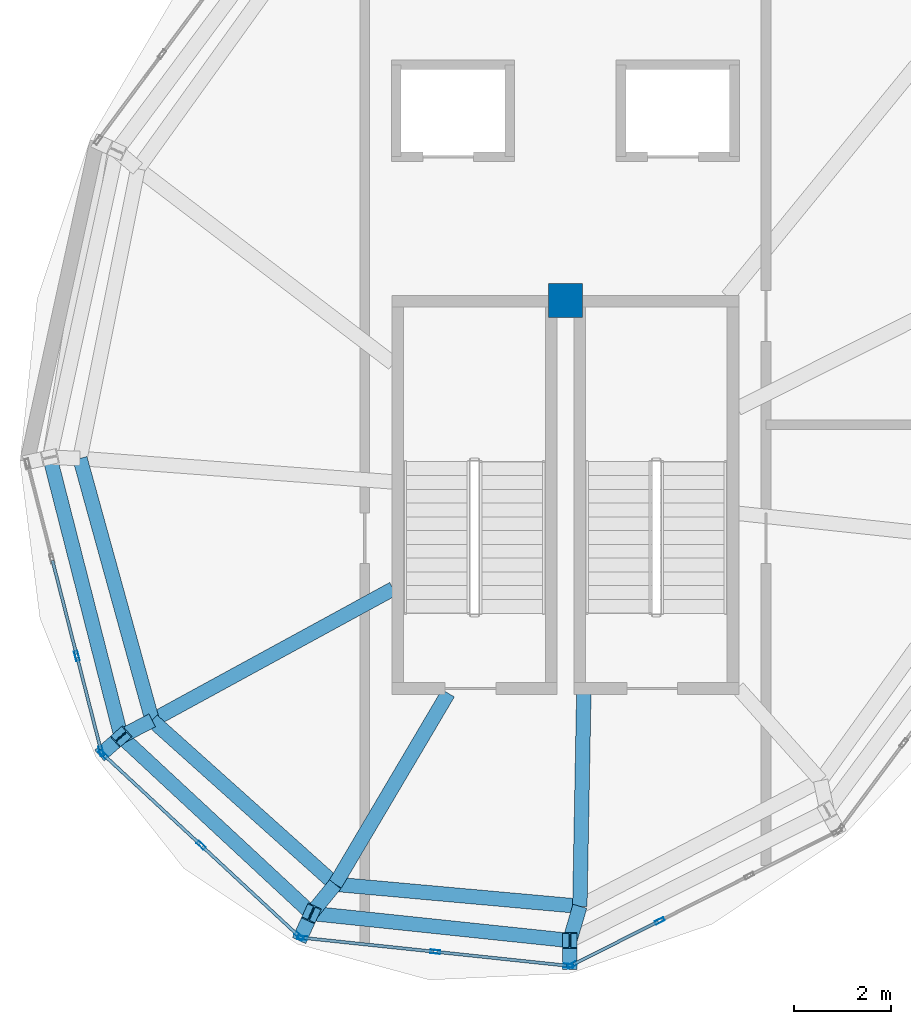
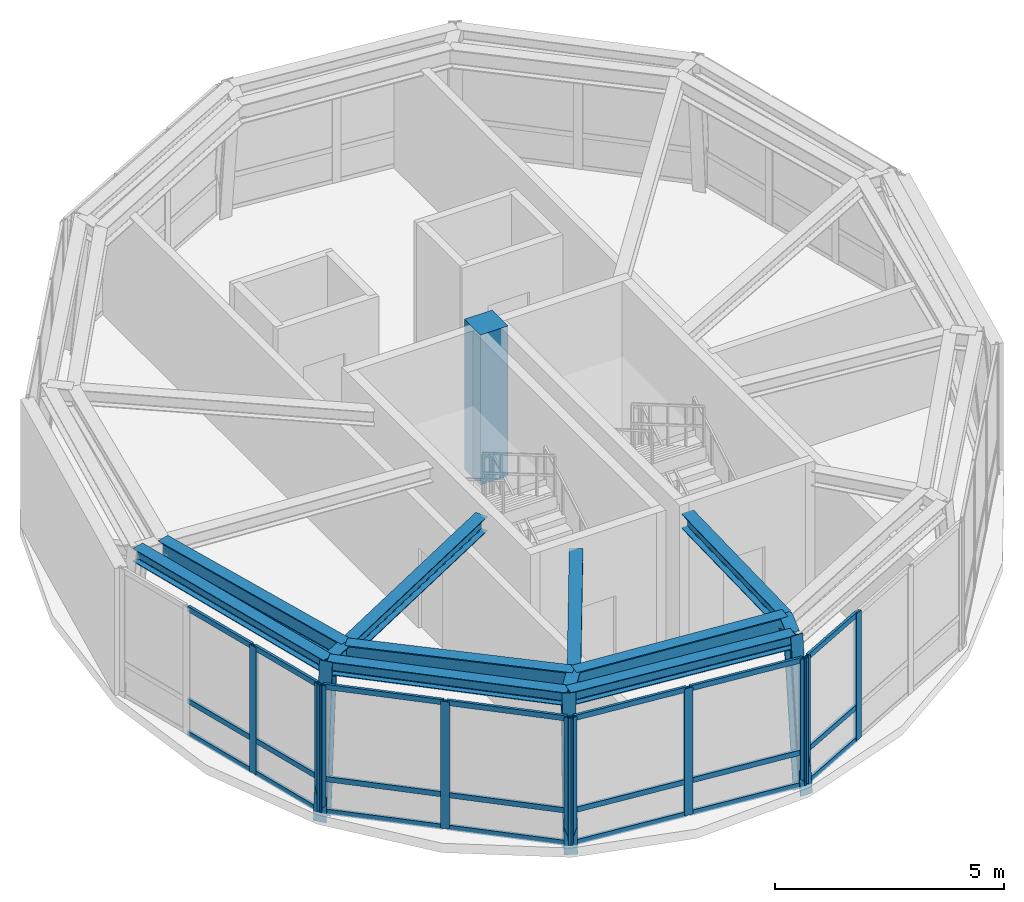
# One storey, part 1 of 9: 34 members, 12 beams, 1 column, 4 elements without a shape of their own.
"""IFC4 building model written with IfcOpenShell, lengths in metres."""

import ifcopenshell
import ifcopenshell.guid

model = None  # the IFC model being written
_history = None  # IfcOwnerHistory: only IFC2X3 demands one
_inside = {}  # id of a spatial element -> (the spatial element, [elements in it])
_under = {}  # id of a project, library or spatial element -> (it, [spatial elements below it])
_declared = {}  # id of a project -> (the project, [libraries it declares])
_typed = {}  # id of a type object -> (the type object, [elements of that type])
_made_of = {}  # id of a material, layer set ... -> (it, [elements and type objects made of it])


def new_model(schema):
    """Start an empty IFC model of exactly this schema.

    Asked for "IFC4X3", IfcOpenShell would pick the latest addendum, in which some entities
    have other attributes; the version numbers below select the first issue.
    IFC2X3 requires an IfcOwnerHistory on every rooted entity: one is made here for all.
    """
    global model, _history
    if schema == "IFC4X3":
        model = ifcopenshell.file(schema_version=(4, 3, 0, 0))
    else:
        model = ifcopenshell.file(schema=schema)
    _inside.clear()
    _under.clear()
    _declared.clear()
    _typed.clear()
    _made_of.clear()
    _history = None
    if model.schema == "IFC2X3":
        org = make("IfcOrganization", Name="unknown")
        user = make(
            "IfcPersonAndOrganization",
            ThePerson=make("IfcPerson", FamilyName="unknown"),
            TheOrganization=org,
        )
        app = make(
            "IfcApplication",
            ApplicationDeveloper=org,
            Version="unknown",
            ApplicationFullName="unknown",
            ApplicationIdentifier="unknown",
        )
        _history = make(
            "IfcOwnerHistory",
            OwningUser=user,
            OwningApplication=app,
            ChangeAction="ADDED",
            CreationDate=0,
        )
    return model


def make(cls, **values):
    """One entity of the class cls with the attributes given. An attribute that is None is left unset."""
    return model.create_entity(
        cls, **{name: value for name, value in values.items() if value is not None}
    )


def rooted(cls, **values):
    """An entity with a GlobalId (a new one), such as an element, a storey or a relation."""
    return make(cls, GlobalId=ifcopenshell.guid.new(), OwnerHistory=_history, **values)


def si_unit(unit_type, name, prefix=None):
    """IfcSIUnit, for example si_unit("LENGTHUNIT", "METRE", prefix="MILLI")."""
    return make("IfcSIUnit", UnitType=unit_type, Prefix=prefix, Name=name)


def assignment(units):
    """IfcUnitAssignment: the units of a project."""
    return None if units is None else make("IfcUnitAssignment", Units=units)


def point(xyz):
    """IfcCartesianPoint."""
    return None if xyz is None else make("IfcCartesianPoint", Coordinates=xyz)


def direction(xyz):
    """IfcDirection."""
    return None if xyz is None else make("IfcDirection", DirectionRatios=xyz)


def frame(location, z_axis=None, x_axis=None):
    """IfcAxis2Placement3D, a coordinate frame: its origin and axes. An axis left out is left unset."""
    return make(
        "IfcAxis2Placement3D",
        Location=point(location),
        Axis=direction(z_axis),
        RefDirection=direction(x_axis),
    )


def frame_2d(location, x_axis=None):
    """IfcAxis2Placement2D, a coordinate frame in the plane: its origin and x axis."""
    return make(
        "IfcAxis2Placement2D", Location=point(location), RefDirection=direction(x_axis)
    )


def origin():
    """The frame at (0, 0, 0) with its axes left unset."""
    return frame((0.0, 0.0, 0.0))


def origin_2d():
    """The frame at (0, 0) in the plane with its x axis left unset."""
    return frame_2d((0.0, 0.0))


def place(relative_to, where):
    """IfcLocalPlacement: puts the frame where relative to a parent placement (None: the world)."""
    return make(
        "IfcLocalPlacement", PlacementRelTo=relative_to, RelativePlacement=where
    )


def context(
    kind, dimensions, precision=None, world=None, true_north=None, identifier=None
):
    """IfcGeometricRepresentationContext, for example the 3D "Model" context."""
    return make(
        "IfcGeometricRepresentationContext",
        ContextIdentifier=identifier,
        ContextType=kind,
        CoordinateSpaceDimension=dimensions,
        Precision=precision,
        WorldCoordinateSystem=world,
        TrueNorth=true_north,
    )


def subcontext(parent, identifier, kind, view, scale=None):
    """IfcGeometricRepresentationSubContext, for example "Body" below "Model"."""
    return make(
        "IfcGeometricRepresentationSubContext",
        ContextIdentifier=identifier,
        ContextType=kind,
        ParentContext=parent,
        TargetScale=scale,
        TargetView=view,
    )


def project(units=None, contexts=None):
    """IfcProject with its units and contexts."""
    return rooted(
        "IfcProject",
        Name="project",
        RepresentationContexts=contexts,
        UnitsInContext=assignment(units),
    )


def spatial(cls, under=None, at=None, **own):
    """A site, building, storey or space (cls), placed at a placement, below another one or the project."""
    s = rooted(cls, ObjectPlacement=at, **own)
    if under is not None:
        _under.setdefault(under.id(), (under, []))[1].append(s)
    return s


def profile(cls, at=None, kind="AREA", **sizes):
    """A parametric profile (cls). Its sizes go by their IFC names, for example OverallWidth=200.0."""
    return make(cls, ProfileType=kind, Position=at, **sizes)


def rectangle(**sizes):
    """IfcRectangleProfileDef."""
    return profile("IfcRectangleProfileDef", **sizes)


def hollow_rectangle(**sizes):
    """IfcRectangleHollowProfileDef."""
    return profile("IfcRectangleHollowProfileDef", **sizes)


def i_section(**sizes):
    """IfcIShapeProfileDef."""
    return profile("IfcIShapeProfileDef", **sizes)


def extrude(swept, where, along, depth):
    """IfcExtrudedAreaSolid: the profile swept, set in the frame where, extruded along a direction by depth."""
    return make(
        "IfcExtrudedAreaSolid",
        SweptArea=swept,
        Position=where,
        ExtrudedDirection=direction(along),
        Depth=depth,
    )


def shape(context_of_items, identifier, shape_type, items):
    """IfcShapeRepresentation: the items that make up one representation, for example the "Body"."""
    return make(
        "IfcShapeRepresentation",
        ContextOfItems=context_of_items,
        RepresentationIdentifier=identifier,
        RepresentationType=shape_type,
        Items=items,
    )


def material(Name=None, Category=None):
    """IfcMaterial."""
    return make("IfcMaterial", Name=Name, Category=Category)


def layer(
    of_material, thickness, ventilated=None, Name=None, Category=None, Priority=None
):
    """IfcMaterialLayer: one layer of a wall or slab, of a material (None: an air gap)."""
    return make(
        "IfcMaterialLayer",
        Material=of_material,
        LayerThickness=thickness,
        IsVentilated=ventilated,
        Name=Name,
        Category=Category,
        Priority=Priority,
    )


def layer_set(layers, Name=None):
    """IfcMaterialLayerSet."""
    return make("IfcMaterialLayerSet", MaterialLayers=layers, LayerSetName=Name)


def material_profile(
    of_material, cross_section, Name=None, Category=None, Priority=None
):
    """IfcMaterialProfile: a cross section and its material."""
    return make(
        "IfcMaterialProfile",
        Name=Name,
        Material=of_material,
        Profile=cross_section,
        Priority=Priority,
        Category=Category,
    )


def profile_set(profiles, Name=None, composite=None):
    """IfcMaterialProfileSet."""
    return make(
        "IfcMaterialProfileSet",
        Name=Name,
        MaterialProfiles=profiles,
        CompositeProfile=composite,
    )


def made_of(thing, what):
    """Note that an element or type object is made of a material, layer set ...; save() writes the relation."""
    if what is not None:
        _made_of.setdefault(what.id(), (what, []))[1].append(thing)
    return thing


def type_object(cls, material=None, **own):
    """A type object (cls), such as IfcWallType, which elements share."""
    return made_of(rooted(cls, **own), material)


def element(
    cls,
    number,
    at=None,
    inside=None,
    cuts=None,
    type_object=None,
    material=None,
    context=None,
    identifier="Body",
    shape_type=None,
    held_by="IfcProductDefinitionShape",
    body=None,
    shapes=None,
    **own,
):
    """One element of the class cls, such as IfcWall. Its Tag is "e" and its number.

    at: its placement. inside: the storey or other place that contains it. cuts: it is an
    opening in that element (IfcRelVoidsElement). A single representation is given by context,
    identifier, shape_type and body (its items); several are given by shapes. held_by: the class
    of the entity that holds the representations. save() writes the other relations.
    """
    e = rooted(cls, Tag="e%d" % number, ObjectPlacement=at, **own)
    if body is not None:
        shapes = [shape(context, identifier, shape_type, body)]
    if shapes is not None:
        e.Representation = make(held_by, Representations=shapes)
    if inside is not None:
        _inside.setdefault(inside.id(), (inside, []))[1].append(e)
    if cuts is not None:
        rooted(
            "IfcRelVoidsElement", RelatingBuildingElement=cuts, RelatedOpeningElement=e
        )
    if type_object is not None:
        _typed.setdefault(type_object.id(), (type_object, []))[1].append(e)
    return made_of(e, material)


def aggregate(whole, parts):
    """IfcRelAggregates: a whole, such as a stair, and the parts it consists of."""
    return rooted("IfcRelAggregates", RelatingObject=whole, RelatedObjects=parts)


def save(model, path):
    """Write the relations noted so far, then the file.

    IfcRelAggregates (storeys below a building ...), IfcRelContainedInSpatialStructure (elements
    in a storey), IfcRelDefinesByType, IfcRelAssociatesMaterial and IfcRelDeclares: one each for
    every whole, place, type object, material and project.
    """
    for whole, parts in _under.values():
        aggregate(whole, parts)
    for where, things in _inside.values():
        rooted(
            "IfcRelContainedInSpatialStructure",
            RelatedElements=things,
            RelatingStructure=where,
        )
    for kind, things in _typed.values():
        rooted("IfcRelDefinesByType", RelatedObjects=things, RelatingType=kind)
    for what, things in _made_of.values():
        rooted("IfcRelAssociatesMaterial", RelatedObjects=things, RelatingMaterial=what)
    for by, libraries in _declared.values():
        rooted("IfcRelDeclares", RelatingContext=by, RelatedDefinitions=libraries)
    model.write(path)


model = new_model("IFC4")

# Units and contexts
model_context = context("Model", 3, precision=1e-05, world=origin(), true_north=direction((0.0, 1.0)))
body_context = subcontext(model_context, "Body", "Model", "MODEL_VIEW")
ifc_project = project(units=[si_unit("LENGTHUNIT", "METRE"), si_unit("AREAUNIT", "SQUARE_METRE"), si_unit("VOLUMEUNIT", "CUBIC_METRE"), si_unit("PLANEANGLEUNIT", "RADIAN"), si_unit("MASSUNIT", "GRAM", prefix="KILO"), si_unit("THERMODYNAMICTEMPERATUREUNIT", "KELVIN"), si_unit("POWERUNIT", "WATT")], contexts=[model_context])

# Site, building, storey
site_placement = place(None, origin())
site = spatial("IfcSite", under=ifc_project, at=site_placement, CompositionType="ELEMENT")
building_placement = place(site_placement, origin())
building = spatial("IfcBuilding", under=site, at=building_placement, Name="Ocrelia Relay Tower", CompositionType="ELEMENT")
storey_placement = place(building_placement, frame((0.0, 0.0, 300.0)))
storey = spatial("IfcBuildingStorey", under=building, at=storey_placement, Name="L75", CompositionType="ELEMENT", Elevation=300.0)

# Column
ifc_material_1 = material(Name="Concrete C50/60", Category="concrete")
ifc_material_profile_1 = material_profile(ifc_material_1, rectangle(XDim=0.699951171875, YDim=0.699951171875, at=origin_2d()), Name="RC-COL-700x700")
ifc_profile_set_1 = profile_set([ifc_material_profile_1], Name="Concrete C50/60")
column_type = type_object("IfcColumnType", Name="COL-CC-700", PredefinedType="COLUMN", material=ifc_profile_set_1)
column_placement = place(storey_placement, frame((34.0, 27.1201171875, 0.0), z_axis=(0.0, 0.0, 1.0), x_axis=(1.0, 0.0, 0.0)))
element("IfcColumn", 1, at=column_placement, inside=storey, type_object=column_type, Name="L75 Crown Central Spine Column", PredefinedType="COLUMN", context=body_context, shape_type="SweptSolid", body=[
    extrude(rectangle(XDim=0.699951171875, YDim=0.699951171875, at=origin_2d()), origin(), (0.0, 0.0, 1.0), 4.0),
])

# Beams
ifc_material_2 = material(Name="Steel S355", Category="steel")
ifc_material_profile_2 = material_profile(ifc_material_2, i_section(OverallWidth=0.300048828125, OverallDepth=0.35009765625, WebThickness=0.010009765625, FlangeThickness=0.017578125, FilletRadius=0.027099609375, at=origin_2d()), Name="HEA 360")
ifc_profile_set_2 = profile_set([ifc_material_profile_2], Name="Steel S355")
beam_type_1 = type_object("IfcBeamType", Name="BM-HEA360", PredefinedType="SPANDREL", material=ifc_profile_set_2)
beam_1_placement = place(storey_placement, frame((23.330322265625, 23.87548828125, 3.574951171875), z_axis=(0.247369340532, -0.968921260663, 0.0), x_axis=(0.968921260663, 0.247369340532, 0.0)))
element("IfcBeam", 2, at=beam_1_placement, inside=storey, type_object=beam_type_1, Name="L75 Crown Faceted Ring Beam R05", PredefinedType="SPANDREL", context=body_context, shape_type="SweptSolid", body=[
    extrude(i_section(OverallWidth=0.300048828125, OverallDepth=0.35009765625, WebThickness=0.010009765625, FlangeThickness=0.017578125, FilletRadius=0.027099609375, at=origin_2d()), origin(), (0.0, 0.0, 1.0), 5.962158203125),
])
beam_2_placement = place(storey_placement, frame((24.80517578125, 18.0986328125, 3.574951171875), z_axis=(0.732539507157, -0.68072451877, 0.0), x_axis=(0.68072451877, 0.732539507157, 0.0)))
element("IfcBeam", 3, at=beam_2_placement, inside=storey, type_object=beam_type_1, Name="L75 Crown Faceted Ring Beam R06", PredefinedType="SPANDREL", context=body_context, shape_type="SweptSolid", body=[
    extrude(i_section(OverallWidth=0.300048828125, OverallDepth=0.35009765625, WebThickness=0.010009765625, FlangeThickness=0.017578125, FilletRadius=0.027099609375, at=origin_2d()), origin(), (0.0, 0.0, 1.0), 5.376220703125),
])
beam_3_placement = place(storey_placement, frame((28.743408203125, 14.43896484375, 3.574951171875), z_axis=(0.994521365969, -0.104533500044, 0.0), x_axis=(0.104533500044, 0.994521365969, 0.0)))
element("IfcBeam", 4, at=beam_3_placement, inside=storey, type_object=beam_type_1, Name="L75 Crown Faceted Ring Beam R07", PredefinedType="SPANDREL", context=body_context, shape_type="SweptSolid", body=[
    extrude(i_section(OverallWidth=0.300048828125, OverallDepth=0.35009765625, WebThickness=0.010009765625, FlangeThickness=0.017578125, FilletRadius=0.027099609375, at=origin_2d()), origin(), (0.0, 0.0, 1.0), 5.37646484375),
])
ifc_material_profile_3 = material_profile(ifc_material_2, i_section(OverallWidth=0.300048828125, OverallDepth=0.389892578125, WebThickness=0.010986328125, FlangeThickness=0.01904296875, FilletRadius=0.027099609375, at=origin_2d()), Name="HEA 400")
ifc_profile_set_3 = profile_set([ifc_material_profile_3], Name="Steel S355")
beam_type_2 = type_object("IfcBeamType", Name="BM-HEA400", PredefinedType="SPANDREL", material=ifc_profile_set_3)
beam_4_placement = place(storey_placement, frame((25.448486328125, 18.433349609375, 3.554931640625), z_axis=(0.877803580638, 0.479020744665, 0.0), x_axis=(-0.479020744665, 0.877803580638, 0.0)))
element("IfcBeam", 5, at=beam_4_placement, inside=storey, type_object=beam_type_2, Name="L75 Crown Radial Floor Beam 06", PredefinedType="SPANDREL", context=body_context, shape_type="SweptSolid", body=[
    extrude(i_section(OverallWidth=0.300048828125, OverallDepth=0.389892578125, WebThickness=0.010986328125, FlangeThickness=0.01904296875, FilletRadius=0.027099609375, at=origin_2d()), origin(), (0.0, 0.0, 1.0), 5.6806640625),
])
beam_5_placement = place(storey_placement, frame((29.23486328125, 15.041015625, 3.554931640625), z_axis=(0.50895133116, 0.86079529652, 0.0), x_axis=(-0.86079529652, 0.50895133116, 0.0)))
element("IfcBeam", 6, at=beam_5_placement, inside=storey, type_object=beam_type_2, Name="L75 Crown Radial Floor Beam 07", PredefinedType="SPANDREL", context=body_context, shape_type="SweptSolid", body=[
    extrude(i_section(OverallWidth=0.300048828125, OverallDepth=0.389892578125, WebThickness=0.010986328125, FlangeThickness=0.01904296875, FilletRadius=0.027099609375, at=origin_2d()), origin(), (0.0, 0.0, 1.0), 4.593505859375),
])
beam_6_placement = place(storey_placement, frame((34.298095703125, 14.58544921875, 3.554931640625), z_axis=(0.018544036924, 0.999828044563, 0.0), x_axis=(-0.999828044563, 0.018544036924, 0.0)))
element("IfcBeam", 7, at=beam_6_placement, inside=storey, type_object=beam_type_2, Name="L75 Crown Radial Floor Beam 08", PredefinedType="SPANDREL", context=body_context, shape_type="SweptSolid", body=[
    extrude(i_section(OverallWidth=0.300048828125, OverallDepth=0.389892578125, WebThickness=0.010986328125, FlangeThickness=0.01904296875, FilletRadius=0.027099609375, at=origin_2d()), origin(), (0.0, 0.0, 1.0), 4.410400390625),
])
ifc_material_profile_4 = material_profile(ifc_material_2, i_section(OverallWidth=0.300048828125, OverallDepth=0.449951171875, WebThickness=0.013916015625, FlangeThickness=0.02587890625, FilletRadius=0.027099609375, at=origin_2d()), Name="HEB 450")
ifc_profile_set_4 = profile_set([ifc_material_profile_4], Name="Steel S355")
beam_type_3 = type_object("IfcBeamType", Name="BM-HEB450", PredefinedType="BEAM", material=ifc_profile_set_4)
beam_7_placement = place(storey_placement, frame((24.80517578125, 18.0986328125, 3.52490234375), z_axis=(0.887106533671, 0.461564727766, 0.0), x_axis=(-0.461564727766, 0.887106533671, 0.0)))
element("IfcBeam", 8, at=beam_7_placement, inside=storey, type_object=beam_type_3, Name="L75 Crown Step Radial Beam ST06", PredefinedType="BEAM", context=body_context, shape_type="SweptSolid", body=[
    extrude(i_section(OverallWidth=0.300048828125, OverallDepth=0.449951171875, WebThickness=0.013916015625, FlangeThickness=0.02587890625, FilletRadius=0.027099609375, at=origin_2d()), origin(), (0.0, 0.0, 1.0), 0.72509765625),
])
beam_8_placement = place(storey_placement, frame((28.743408203125, 14.43896484375, 3.52490234375), z_axis=(0.632364948062, 0.774670621918, 0.0), x_axis=(-0.774670621918, 0.632364948062, 0.0)))
element("IfcBeam", 9, at=beam_8_placement, inside=storey, type_object=beam_type_3, Name="L75 Crown Step Radial Beam ST07", PredefinedType="BEAM", context=body_context, shape_type="SweptSolid", body=[
    extrude(i_section(OverallWidth=0.300048828125, OverallDepth=0.449951171875, WebThickness=0.013916015625, FlangeThickness=0.02587890625, FilletRadius=0.027099609375, at=origin_2d()), origin(), (0.0, 0.0, 1.0), 0.777099609375),
])
beam_9_placement = place(storey_placement, frame((34.09033203125, 13.876953125, 3.52490234375), z_axis=(0.281396435187, 0.959591603894, 0.0), x_axis=(-0.959591603894, 0.281396435187, 0.0)))
element("IfcBeam", 10, at=beam_9_placement, inside=storey, type_object=beam_type_3, Name="L75 Crown Step Radial Beam ST08", PredefinedType="BEAM", context=body_context, shape_type="SweptSolid", body=[
    extrude(i_section(OverallWidth=0.300048828125, OverallDepth=0.449951171875, WebThickness=0.013916015625, FlangeThickness=0.02587890625, FilletRadius=0.027099609375, at=origin_2d()), origin(), (0.0, 0.0, 1.0), 0.73828125),
])
ifc_material_profile_5 = material_profile(ifc_material_2, i_section(OverallWidth=0.300048828125, OverallDepth=0.5, WebThickness=0.014404296875, FlangeThickness=0.028076171875, FilletRadius=0.027099609375, at=origin_2d()), Name="HEB 500")
ifc_profile_set_5 = profile_set([ifc_material_profile_5], Name="Steel S355")
beam_type_4 = type_object("IfcBeamType", Name="BM-HEB500", PredefinedType="BEAM", material=ifc_profile_set_5)
beam_10_placement = place(storey_placement, frame((23.95361328125, 23.85302734375, 3.5), z_axis=(0.265894209585, -0.964002214369, 0.0), x_axis=(0.964002214369, 0.265894209585, 0.0)))
element("IfcBeam", 11, at=beam_10_placement, inside=storey, type_object=beam_type_4, Name="L75 Crown Step Perimeter Ring Beam SR05", PredefinedType="BEAM", context=body_context, shape_type="SweptSolid", body=[
    extrude(i_section(OverallWidth=0.300048828125, OverallDepth=0.5, WebThickness=0.014404296875, FlangeThickness=0.028076171875, FilletRadius=0.027099609375, at=origin_2d()), origin(), (0.0, 0.0, 1.0), 5.6220703125),
])
for number, where, z_axis, x_axis, name in (
    (12, (25.448486328125, 18.433349609375, 3.5), (0.744799036454, -0.667288839482, 0.0), (0.667288839482, 0.744799036454, 0.0), "L75 Crown Step Perimeter Ring Beam SR06"),
    (13, (29.23486328125, 15.041015625, 3.5), (0.995976625152, -0.089613403854, 0.0), (0.089613403854, 0.995976625152, 0.0), "L75 Crown Step Perimeter Ring Beam SR07"),
):
    element("IfcBeam", number, at=place(storey_placement, frame(where, z_axis=z_axis, x_axis=x_axis)), inside=storey, type_object=beam_type_4, Name=name, PredefinedType="BEAM", context=body_context, shape_type="SweptSolid", body=[
        extrude(i_section(OverallWidth=0.300048828125, OverallDepth=0.5, WebThickness=0.014404296875, FlangeThickness=0.028076171875, FilletRadius=0.027099609375, at=origin_2d()), origin(), (0.0, 0.0, 1.0), 5.083740234375),
    ])

# Curtain wall, members
ifc_material_3 = material(Name="Aluminium and solar-control low-E glass", Category="aluminium")
ifc_layer = layer(ifc_material_3, 0.179931640625, Name="Aluminium and solar-control low-E glass")
ifc_layer_set = layer_set([ifc_layer], Name="Aluminium and solar-control low-E glass")
curtain_wall_type = type_object("IfcCurtainWallType", Name="CW-SYS-CROWN-PT", PredefinedType="NOTDEFINED", material=ifc_layer_set)
curtain_wall_1_placement = place(storey_placement, origin())
curtain_wall_1 = element("IfcCurtainWall", 14, at=curtain_wall_1_placement, inside=storey, type_object=curtain_wall_type, Name="L75 Faceted Glass-Point Crown Curtain Wall 05", PredefinedType="NOTDEFINED")
ifc_material_4 = material(Name="Anodised bronze aluminium", Category="aluminium")
ifc_material_profile_6 = material_profile(ifc_material_4, hollow_rectangle(XDim=0.074951171875, YDim=0.199951171875, WallThickness=0.006103515625, at=origin_2d()), Name="CW-MUL-200x75")
ifc_profile_set_6 = profile_set([ifc_material_profile_6], Name="Anodised bronze aluminium")
member_type_1 = type_object("IfcMemberType", Name="CW-SYS-CROWN-PT-MUL", PredefinedType="MULLION", material=ifc_profile_set_6)
member_1_placement = place(storey_placement, frame((23.889404296875, 19.767578125, 0.0), z_axis=(0.0, 0.0, 1.0), x_axis=(0.968839306988, 0.24769012341, 0.0)))
member_1 = element("IfcMember", 15, at=member_1_placement, type_object=member_type_1, Name="CW-CR mullion 3", PredefinedType="MULLION", context=body_context, shape_type="SweptSolid", body=[
    extrude(hollow_rectangle(XDim=0.074951171875, YDim=0.199951171875, WallThickness=0.006103515625, at=origin_2d()), origin(), (0.0, 0.0, 1.0), 3.389892578125),
])
member_2_placement = place(storey_placement, frame((24.393798828125, 17.79443359375, 0.0), z_axis=(0.0, 0.0, 1.0), x_axis=(0.968839306988, 0.24769012341, 0.0)))
member_2 = element("IfcMember", 16, at=member_2_placement, type_object=member_type_1, Name="CW-CR mullion 4", PredefinedType="MULLION", context=body_context, shape_type="SweptSolid", body=[
    extrude(hollow_rectangle(XDim=0.074951171875, YDim=0.199951171875, WallThickness=0.006103515625, at=origin_2d()), origin(), (0.0, 0.0, 1.0), 3.389892578125),
])

curtain_wall_2_placement = place(storey_placement, origin())
curtain_wall_2 = element("IfcCurtainWall", 17, at=curtain_wall_2_placement, inside=storey, type_object=curtain_wall_type, Name="L75 Faceted Glass-Point Crown Curtain Wall 06", PredefinedType="NOTDEFINED")
member_3_placement = place(storey_placement, frame((24.4306640625, 17.732666015625, 0.0), z_axis=(0.0, 0.0, 1.0), x_axis=(0.680552909724, 0.732698940266, 0.0)))
member_3 = element("IfcMember", 18, at=member_3_placement, type_object=member_type_1, Name="CW-CR mullion 1", PredefinedType="MULLION", context=body_context, shape_type="SweptSolid", body=[
    extrude(hollow_rectangle(XDim=0.074951171875, YDim=0.199951171875, WallThickness=0.006103515625, at=origin_2d()), origin(), (0.0, 0.0, 1.0), 3.389892578125),
])
member_4_placement = place(storey_placement, frame((26.45947265625, 15.84814453125, 0.0), z_axis=(0.0, 0.0, 1.0), x_axis=(0.680552909724, 0.732698940266, 0.0)))
member_4 = element("IfcMember", 19, at=member_4_placement, type_object=member_type_1, Name="CW-CR mullion 2", PredefinedType="MULLION", context=body_context, shape_type="SweptSolid", body=[
    extrude(hollow_rectangle(XDim=0.074951171875, YDim=0.199951171875, WallThickness=0.006103515625, at=origin_2d()), origin(), (0.0, 0.0, 1.0), 3.389892578125),
])
member_5_placement = place(storey_placement, frame((28.48828125, 13.963623046875, 0.0), z_axis=(0.0, 0.0, 1.0), x_axis=(0.680552909724, 0.732698940266, 0.0)))
member_5 = element("IfcMember", 20, at=member_5_placement, type_object=member_type_1, Name="CW-CR mullion 3", PredefinedType="MULLION", context=body_context, shape_type="SweptSolid", body=[
    extrude(hollow_rectangle(XDim=0.074951171875, YDim=0.199951171875, WallThickness=0.006103515625, at=origin_2d()), origin(), (0.0, 0.0, 1.0), 3.389892578125),
])

curtain_wall_3_placement = place(storey_placement, origin())
curtain_wall_3 = element("IfcCurtainWall", 21, at=curtain_wall_3_placement, inside=storey, type_object=curtain_wall_type, Name="L75 Faceted Glass-Point Crown Curtain Wall 07", PredefinedType="NOTDEFINED")
member_6_placement = place(storey_placement, frame((28.552978515625, 13.934326171875, 0.0), z_axis=(0.0, 0.0, 1.0), x_axis=(0.104755265388, 0.994498031357, 0.0)))
member_6 = element("IfcMember", 22, at=member_6_placement, type_object=member_type_1, Name="CW-CR mullion 1", PredefinedType="MULLION", context=body_context, shape_type="SweptSolid", body=[
    extrude(hollow_rectangle(XDim=0.074951171875, YDim=0.199951171875, WallThickness=0.006103515625, at=origin_2d()), origin(), (0.0, 0.0, 1.0), 3.389892578125),
])
member_7_placement = place(storey_placement, frame((31.306884765625, 13.644287109375, 0.0), z_axis=(0.0, 0.0, 1.0), x_axis=(0.104755265388, 0.994498031357, 0.0)))
member_7 = element("IfcMember", 23, at=member_7_placement, type_object=member_type_1, Name="CW-CR mullion 2", PredefinedType="MULLION", context=body_context, shape_type="SweptSolid", body=[
    extrude(hollow_rectangle(XDim=0.074951171875, YDim=0.199951171875, WallThickness=0.006103515625, at=origin_2d()), origin(), (0.0, 0.0, 1.0), 3.389892578125),
])
member_8_placement = place(storey_placement, frame((34.060791015625, 13.354248046875, 0.0), z_axis=(0.0, 0.0, 1.0), x_axis=(0.104755265388, 0.994498031357, 0.0)))
member_8 = element("IfcMember", 24, at=member_8_placement, type_object=member_type_1, Name="CW-CR mullion 3", PredefinedType="MULLION", context=body_context, shape_type="SweptSolid", body=[
    extrude(hollow_rectangle(XDim=0.074951171875, YDim=0.199951171875, WallThickness=0.006103515625, at=origin_2d()), origin(), (0.0, 0.0, 1.0), 3.389892578125),
])

curtain_wall_4_placement = place(storey_placement, origin())
curtain_wall_4 = element("IfcCurtainWall", 25, at=curtain_wall_4_placement, inside=storey, type_object=curtain_wall_type, Name="L75 Faceted Glass-Point Crown Curtain Wall 08", PredefinedType="NOTDEFINED")
member_9_placement = place(storey_placement, frame((34.131591796875, 13.3671875, 0.0), z_axis=(0.0, 0.0, 1.0), x_axis=(-0.450232414421, 0.892911402663, 0.0)))
member_9 = element("IfcMember", 26, at=member_9_placement, type_object=member_type_1, Name="CW-CR mullion 1", PredefinedType="MULLION", context=body_context, shape_type="SweptSolid", body=[
    extrude(hollow_rectangle(XDim=0.074951171875, YDim=0.199951171875, WallThickness=0.006103515625, at=origin_2d()), origin(), (0.0, 0.0, 1.0), 3.389892578125),
])
member_10_placement = place(storey_placement, frame((35.949951171875, 14.283935546875, 0.0), z_axis=(0.0, 0.0, 1.0), x_axis=(-0.450232414421, 0.892911402663, 0.0)))
member_10 = element("IfcMember", 27, at=member_10_placement, type_object=member_type_1, Name="CW-CR mullion 2", PredefinedType="MULLION", context=body_context, shape_type="SweptSolid", body=[
    extrude(hollow_rectangle(XDim=0.074951171875, YDim=0.199951171875, WallThickness=0.006103515625, at=origin_2d()), origin(), (0.0, 0.0, 1.0), 3.389892578125),
])

# Member
ifc_material_profile_7 = material_profile(ifc_material_4, hollow_rectangle(XDim=0.06494140625, YDim=0.139892578125, WallThickness=0.0048828125, at=origin_2d()), Name="CW-TRN-140x65")
ifc_profile_set_7 = profile_set([ifc_material_profile_7], Name="Anodised bronze aluminium")
member_type_2 = type_object("IfcMemberType", Name="CW-SYS-CROWN-PT-TRN", PredefinedType="USERDEFINED", material=ifc_profile_set_7)
member_11_placement = place(storey_placement, frame((23.385009765625, 21.74072265625, 0.032470703125), z_axis=(0.247675967927, -0.96884292582, 0.0), x_axis=(0.96884292582, 0.247675967927, 0.0)))
member_11 = element("IfcMember", 28, at=member_11_placement, type_object=member_type_2, Name="CW-CR transom 2.1", ObjectType="TRANSOM", PredefinedType="USERDEFINED", context=body_context, shape_type="SweptSolid", body=[
    extrude(hollow_rectangle(XDim=0.06494140625, YDim=0.139892578125, WallThickness=0.0048828125, at=origin_2d()), origin(), (0.0, 0.0, 1.0), 1.9990234375),
])

member_12_placement = place(storey_placement, frame((23.385009765625, 21.74072265625, 0.89990234375), z_axis=(0.247675967927, -0.96884292582, 0.0), x_axis=(0.96884292582, 0.247675967927, 0.0)))
member_12 = element("IfcMember", 29, at=member_12_placement, type_object=member_type_2, Name="CW-CR transom 2.2", ObjectType="TRANSOM", PredefinedType="USERDEFINED", context=body_context, shape_type="SweptSolid", body=[
    extrude(hollow_rectangle(XDim=0.06494140625, YDim=0.139892578125, WallThickness=0.0048828125, at=origin_2d()), origin(), (0.0, 0.0, 1.0), 1.9990234375),
])

member_13_placement = place(storey_placement, frame((23.385009765625, 21.74072265625, 3.357421875), z_axis=(0.247675967927, -0.96884292582, 0.0), x_axis=(0.96884292582, 0.247675967927, 0.0)))
member_13 = element("IfcMember", 30, at=member_13_placement, type_object=member_type_2, Name="CW-CR transom 2.3", ObjectType="TRANSOM", PredefinedType="USERDEFINED", context=body_context, shape_type="SweptSolid", body=[
    extrude(hollow_rectangle(XDim=0.06494140625, YDim=0.139892578125, WallThickness=0.0048828125, at=origin_2d()), origin(), (0.0, 0.0, 1.0), 1.9990234375),
])

member_14_placement = place(storey_placement, frame((23.898681640625, 19.7314453125, 0.032470703125), z_axis=(0.247656677641, -0.968847857003, 0.0), x_axis=(0.968847857003, 0.247656677641, 0.0)))
member_14 = element("IfcMember", 31, at=member_14_placement, type_object=member_type_2, Name="CW-CR transom 3.1", ObjectType="TRANSOM", PredefinedType="USERDEFINED", context=body_context, shape_type="SweptSolid", body=[
    extrude(hollow_rectangle(XDim=0.06494140625, YDim=0.139892578125, WallThickness=0.0048828125, at=origin_2d()), origin(), (0.0, 0.0, 1.0), 1.961669921875),
])

member_15_placement = place(storey_placement, frame((23.898681640625, 19.7314453125, 0.89990234375), z_axis=(0.247656677641, -0.968847857003, 0.0), x_axis=(0.968847857003, 0.247656677641, 0.0)))
member_15 = element("IfcMember", 32, at=member_15_placement, type_object=member_type_2, Name="CW-CR transom 3.2", ObjectType="TRANSOM", PredefinedType="USERDEFINED", context=body_context, shape_type="SweptSolid", body=[
    extrude(hollow_rectangle(XDim=0.06494140625, YDim=0.139892578125, WallThickness=0.0048828125, at=origin_2d()), origin(), (0.0, 0.0, 1.0), 1.961669921875),
])

member_16_placement = place(storey_placement, frame((23.898681640625, 19.7314453125, 3.357421875), z_axis=(0.247656677641, -0.968847857003, 0.0), x_axis=(0.968847857003, 0.247656677641, 0.0)))
member_16 = element("IfcMember", 33, at=member_16_placement, type_object=member_type_2, Name="CW-CR transom 3.3", ObjectType="TRANSOM", PredefinedType="USERDEFINED", context=body_context, shape_type="SweptSolid", body=[
    extrude(hollow_rectangle(XDim=0.06494140625, YDim=0.139892578125, WallThickness=0.0048828125, at=origin_2d()), origin(), (0.0, 0.0, 1.0), 1.961669921875),
])

aggregate(curtain_wall_1, [member_1, member_2, member_11, member_12, member_13, member_14, member_15, member_16])

member_17_placement = place(storey_placement, frame((24.4580078125, 17.707275390625, 0.032470703125), z_axis=(0.732680514123, -0.680572747194, 0.0), x_axis=(0.680572747194, 0.732680514123, 0.0)))
member_17 = element("IfcMember", 34, at=member_17_placement, type_object=member_type_2, Name="CW-CR transom 1.1", ObjectType="TRANSOM", PredefinedType="USERDEFINED", context=body_context, shape_type="SweptSolid", body=[
    extrude(hollow_rectangle(XDim=0.06494140625, YDim=0.139892578125, WallThickness=0.0048828125, at=origin_2d()), origin(), (0.0, 0.0, 1.0), 2.694091796875),
])

member_18_placement = place(storey_placement, frame((24.4580078125, 17.707275390625, 0.89990234375), z_axis=(0.732680514123, -0.680572747194, 0.0), x_axis=(0.680572747194, 0.732680514123, 0.0)))
member_18 = element("IfcMember", 35, at=member_18_placement, type_object=member_type_2, Name="CW-CR transom 1.2", ObjectType="TRANSOM", PredefinedType="USERDEFINED", context=body_context, shape_type="SweptSolid", body=[
    extrude(hollow_rectangle(XDim=0.06494140625, YDim=0.139892578125, WallThickness=0.0048828125, at=origin_2d()), origin(), (0.0, 0.0, 1.0), 2.694091796875),
])

member_19_placement = place(storey_placement, frame((24.4580078125, 17.707275390625, 3.357421875), z_axis=(0.732680514123, -0.680572747194, 0.0), x_axis=(0.680572747194, 0.732680514123, 0.0)))
member_19 = element("IfcMember", 36, at=member_19_placement, type_object=member_type_2, Name="CW-CR transom 1.3", ObjectType="TRANSOM", PredefinedType="USERDEFINED", context=body_context, shape_type="SweptSolid", body=[
    extrude(hollow_rectangle(XDim=0.06494140625, YDim=0.139892578125, WallThickness=0.0048828125, at=origin_2d()), origin(), (0.0, 0.0, 1.0), 2.694091796875),
])

member_20_placement = place(storey_placement, frame((26.48681640625, 15.82275390625, 0.032470703125), z_axis=(0.732722484269, -0.680527560828, 0.0), x_axis=(0.680527560828, 0.732722484269, 0.0)))
member_20 = element("IfcMember", 37, at=member_20_placement, type_object=member_type_2, Name="CW-CR transom 2.1", ObjectType="TRANSOM", PredefinedType="USERDEFINED", context=body_context, shape_type="SweptSolid", body=[
    extrude(hollow_rectangle(XDim=0.06494140625, YDim=0.139892578125, WallThickness=0.0048828125, at=origin_2d()), origin(), (0.0, 0.0, 1.0), 2.6943359375),
])

member_21_placement = place(storey_placement, frame((26.48681640625, 15.82275390625, 0.89990234375), z_axis=(0.732722484269, -0.680527560828, 0.0), x_axis=(0.680527560828, 0.732722484269, 0.0)))
member_21 = element("IfcMember", 38, at=member_21_placement, type_object=member_type_2, Name="CW-CR transom 2.2", ObjectType="TRANSOM", PredefinedType="USERDEFINED", context=body_context, shape_type="SweptSolid", body=[
    extrude(hollow_rectangle(XDim=0.06494140625, YDim=0.139892578125, WallThickness=0.0048828125, at=origin_2d()), origin(), (0.0, 0.0, 1.0), 2.6943359375),
])

member_22_placement = place(storey_placement, frame((26.48681640625, 15.82275390625, 3.357421875), z_axis=(0.732722484269, -0.680527560828, 0.0), x_axis=(0.680527560828, 0.732722484269, 0.0)))
member_22 = element("IfcMember", 39, at=member_22_placement, type_object=member_type_2, Name="CW-CR transom 2.3", ObjectType="TRANSOM", PredefinedType="USERDEFINED", context=body_context, shape_type="SweptSolid", body=[
    extrude(hollow_rectangle(XDim=0.06494140625, YDim=0.139892578125, WallThickness=0.0048828125, at=origin_2d()), origin(), (0.0, 0.0, 1.0), 2.6943359375),
])

aggregate(curtain_wall_2, [member_3, member_4, member_5, member_17, member_18, member_19, member_20, member_21, member_22])

member_23_placement = place(storey_placement, frame((28.59033203125, 13.930419921875, 0.032470703125), z_axis=(0.994497505021, -0.104760262056, 0.0), x_axis=(0.104760262056, 0.994497505021, 0.0)))
member_23 = element("IfcMember", 40, at=member_23_placement, type_object=member_type_2, Name="CW-CR transom 1.1", ObjectType="TRANSOM", PredefinedType="USERDEFINED", context=body_context, shape_type="SweptSolid", body=[
    extrude(hollow_rectangle(XDim=0.06494140625, YDim=0.139892578125, WallThickness=0.0048828125, at=origin_2d()), origin(), (0.0, 0.0, 1.0), 2.694091796875),
])

member_24_placement = place(storey_placement, frame((28.59033203125, 13.930419921875, 0.89990234375), z_axis=(0.994497505021, -0.104760262056, 0.0), x_axis=(0.104760262056, 0.994497505021, 0.0)))
member_24 = element("IfcMember", 41, at=member_24_placement, type_object=member_type_2, Name="CW-CR transom 1.2", ObjectType="TRANSOM", PredefinedType="USERDEFINED", context=body_context, shape_type="SweptSolid", body=[
    extrude(hollow_rectangle(XDim=0.06494140625, YDim=0.139892578125, WallThickness=0.0048828125, at=origin_2d()), origin(), (0.0, 0.0, 1.0), 2.694091796875),
])

member_25_placement = place(storey_placement, frame((28.59033203125, 13.930419921875, 3.357421875), z_axis=(0.994497505021, -0.104760262056, 0.0), x_axis=(0.104760262056, 0.994497505021, 0.0)))
member_25 = element("IfcMember", 42, at=member_25_placement, type_object=member_type_2, Name="CW-CR transom 1.3", ObjectType="TRANSOM", PredefinedType="USERDEFINED", context=body_context, shape_type="SweptSolid", body=[
    extrude(hollow_rectangle(XDim=0.06494140625, YDim=0.139892578125, WallThickness=0.0048828125, at=origin_2d()), origin(), (0.0, 0.0, 1.0), 2.694091796875),
])

member_26_placement = place(storey_placement, frame((31.34423828125, 13.640380859375, 0.032470703125), z_axis=(0.994497505021, -0.104760262056, 0.0), x_axis=(0.104760262056, 0.994497505021, 0.0)))
member_26 = element("IfcMember", 43, at=member_26_placement, type_object=member_type_2, Name="CW-CR transom 2.1", ObjectType="TRANSOM", PredefinedType="USERDEFINED", context=body_context, shape_type="SweptSolid", body=[
    extrude(hollow_rectangle(XDim=0.06494140625, YDim=0.139892578125, WallThickness=0.0048828125, at=origin_2d()), origin(), (0.0, 0.0, 1.0), 2.694091796875),
])

member_27_placement = place(storey_placement, frame((31.34423828125, 13.640380859375, 0.89990234375), z_axis=(0.994497505021, -0.104760262056, 0.0), x_axis=(0.104760262056, 0.994497505021, 0.0)))
member_27 = element("IfcMember", 44, at=member_27_placement, type_object=member_type_2, Name="CW-CR transom 2.2", ObjectType="TRANSOM", PredefinedType="USERDEFINED", context=body_context, shape_type="SweptSolid", body=[
    extrude(hollow_rectangle(XDim=0.06494140625, YDim=0.139892578125, WallThickness=0.0048828125, at=origin_2d()), origin(), (0.0, 0.0, 1.0), 2.694091796875),
])

member_28_placement = place(storey_placement, frame((31.34423828125, 13.640380859375, 3.357421875), z_axis=(0.994497505021, -0.104760262056, 0.0), x_axis=(0.104760262056, 0.994497505021, 0.0)))
member_28 = element("IfcMember", 45, at=member_28_placement, type_object=member_type_2, Name="CW-CR transom 2.3", ObjectType="TRANSOM", PredefinedType="USERDEFINED", context=body_context, shape_type="SweptSolid", body=[
    extrude(hollow_rectangle(XDim=0.06494140625, YDim=0.139892578125, WallThickness=0.0048828125, at=origin_2d()), origin(), (0.0, 0.0, 1.0), 2.694091796875),
])

aggregate(curtain_wall_3, [member_6, member_7, member_8, member_23, member_24, member_25, member_26, member_27, member_28])

member_29_placement = place(storey_placement, frame((34.1650390625, 13.384033203125, 0.032470703125), z_axis=(0.892928594713, 0.450198317128, 0.0), x_axis=(-0.450198317128, 0.892928594713, 0.0)))
member_29 = element("IfcMember", 46, at=member_29_placement, type_object=member_type_2, Name="CW-CR transom 1.1", ObjectType="TRANSOM", PredefinedType="USERDEFINED", context=body_context, shape_type="SweptSolid", body=[
    extrude(hollow_rectangle(XDim=0.06494140625, YDim=0.139892578125, WallThickness=0.0048828125, at=origin_2d()), origin(), (0.0, 0.0, 1.0), 1.96142578125),
])

member_30_placement = place(storey_placement, frame((34.1650390625, 13.384033203125, 0.89990234375), z_axis=(0.892928594713, 0.450198317128, 0.0), x_axis=(-0.450198317128, 0.892928594713, 0.0)))
member_30 = element("IfcMember", 47, at=member_30_placement, type_object=member_type_2, Name="CW-CR transom 1.2", ObjectType="TRANSOM", PredefinedType="USERDEFINED", context=body_context, shape_type="SweptSolid", body=[
    extrude(hollow_rectangle(XDim=0.06494140625, YDim=0.139892578125, WallThickness=0.0048828125, at=origin_2d()), origin(), (0.0, 0.0, 1.0), 1.96142578125),
])

member_31_placement = place(storey_placement, frame((34.1650390625, 13.384033203125, 3.357421875), z_axis=(0.892928594713, 0.450198317128, 0.0), x_axis=(-0.450198317128, 0.892928594713, 0.0)))
member_31 = element("IfcMember", 48, at=member_31_placement, type_object=member_type_2, Name="CW-CR transom 1.3", ObjectType="TRANSOM", PredefinedType="USERDEFINED", context=body_context, shape_type="SweptSolid", body=[
    extrude(hollow_rectangle(XDim=0.06494140625, YDim=0.139892578125, WallThickness=0.0048828125, at=origin_2d()), origin(), (0.0, 0.0, 1.0), 1.96142578125),
])

aggregate(curtain_wall_4, [member_9, member_10, member_29, member_30, member_31])

# Members
ifc_material_profile_8 = material_profile(ifc_material_2, i_section(OverallWidth=0.300048828125, OverallDepth=0.340087890625, WebThickness=0.011962890625, FlangeThickness=0.021484375, FilletRadius=0.027099609375, at=origin_2d()), Name="HEB 340")
ifc_profile_set_8 = profile_set([ifc_material_profile_8], Name="Steel S355")
member_type_3 = type_object("IfcMemberType", Name="MB-CROWN-RIB", PredefinedType="STRUT", material=ifc_profile_set_8)
member_32_placement = place(storey_placement, frame((24.484619140625, 17.81640625, -0.25), z_axis=(0.079686215125, 0.070157855815, 0.994348018747), x_axis=(-0.660808283131, 0.750554736809, 0.0)))
element("IfcMember", 49, at=member_32_placement, inside=storey, type_object=member_type_3, Name="L75 Crown Faceted Structural Strut Rib CR06", PredefinedType="STRUT", context=body_context, shape_type="SweptSolid", body=[
    extrude(i_section(OverallWidth=0.300048828125, OverallDepth=0.340087890625, WebThickness=0.011962890625, FlangeThickness=0.021484375, FilletRadius=0.027099609375, at=origin_2d()), origin(), (0.0, 0.0, 1.0), 4.022705078125),
])
member_33_placement = place(storey_placement, frame((28.55712890625, 14.029296875, -0.25), z_axis=(0.046277852983, 0.101774885066, 0.993730463), x_axis=(-0.910310733165, 0.413925559836, 0.0)))
element("IfcMember", 50, at=member_33_placement, inside=storey, type_object=member_type_3, Name="L75 Crown Faceted Structural Strut Rib CR07", PredefinedType="STRUT", context=body_context, shape_type="SweptSolid", body=[
    extrude(i_section(OverallWidth=0.300048828125, OverallDepth=0.340087890625, WebThickness=0.011962890625, FlangeThickness=0.021484375, FilletRadius=0.027099609375, at=origin_2d()), origin(), (0.0, 0.0, 1.0), 4.025146484375),
])
member_34_placement = place(storey_placement, frame((34.08837890625, 13.44970703125, -0.25), z_axis=(0.000485519474, 0.106207384857, 0.994343882001), x_axis=(-0.999989551184, 0.004571380805, 0.0)))
element("IfcMember", 51, at=member_34_placement, inside=storey, type_object=member_type_3, Name="L75 Crown Faceted Structural Strut Rib CR08", PredefinedType="STRUT", context=body_context, shape_type="SweptSolid", body=[
    extrude(i_section(OverallWidth=0.300048828125, OverallDepth=0.340087890625, WebThickness=0.011962890625, FlangeThickness=0.021484375, FilletRadius=0.027099609375, at=origin_2d()), origin(), (0.0, 0.0, 1.0), 4.022705078125),
])

save(model, "model.ifc")
